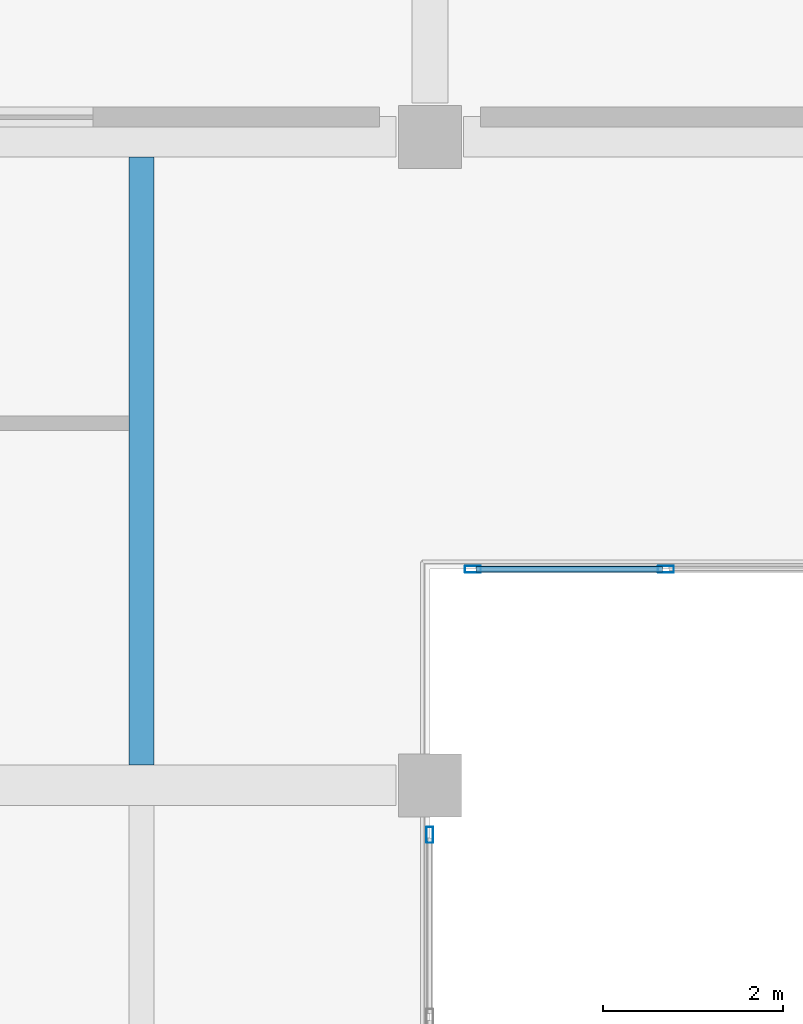
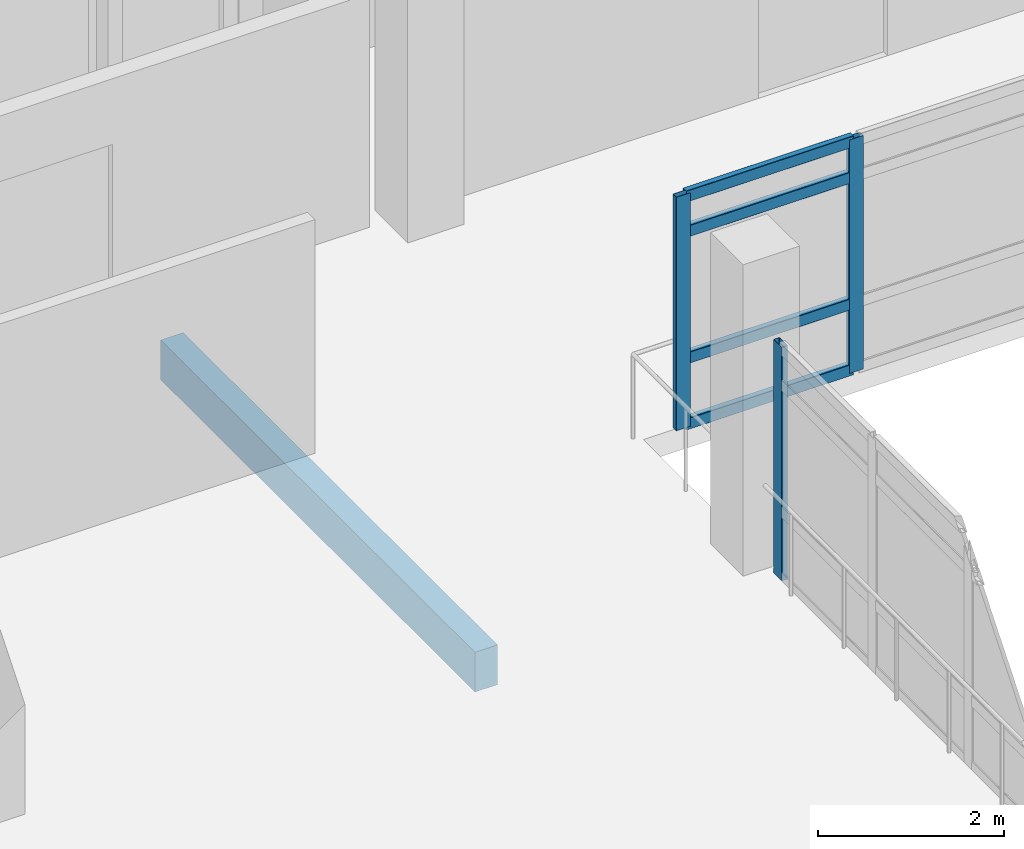
# One storey, part 72 of 180: 7 members, 1 beam, 2 elements without a shape of their own.
"""IFC4 building model written with IfcOpenShell, lengths in metres."""

from ifc_helpers import new_model, si_unit, direction, frame, origin, origin_2d, place, context, subcontext, project, spatial, rectangle, hollow_rectangle, extrude, material, layer, layer_set, material_profile, profile_set, type_object, element, aggregate, save


model = new_model("IFC4")

# Units and contexts
model_context = context("Model", 3, precision=1e-05, world=origin(), true_north=direction((0.0, 1.0)))
body_context = subcontext(model_context, "Body", "Model", "MODEL_VIEW")
ifc_project = project(units=[si_unit("LENGTHUNIT", "METRE"), si_unit("AREAUNIT", "SQUARE_METRE"), si_unit("VOLUMEUNIT", "CUBIC_METRE"), si_unit("PLANEANGLEUNIT", "RADIAN"), si_unit("MASSUNIT", "GRAM", prefix="KILO")], contexts=[model_context])

# Site, building, storey
site_placement = place(None, origin())
site = spatial("IfcSite", under=ifc_project, at=site_placement, CompositionType="ELEMENT")
building_placement = place(site_placement, origin())
building = spatial("IfcBuilding", under=site, at=building_placement, Name="Asteropetra Specialist Clinic", CompositionType="ELEMENT")
storey_placement = place(building_placement, frame((0.0, 0.0, 4.419921875)))
storey = spatial("IfcBuildingStorey", under=building, at=storey_placement, Name="L01", CompositionType="ELEMENT", Elevation=4.419921875)

# Curtain wall, members
ifc_material_1 = material(Name="Aluminium and low-E glass", Category="aluminium")
ifc_layer_1 = layer(ifc_material_1, 0.135009765625)
ifc_layer_set_1 = layer_set([ifc_layer_1], Name="Aluminium and low-E glass")
curtain_wall_type_1 = type_object("IfcCurtainWallType", Name="CW-SYS-09", PredefinedType="USERDEFINED", material=ifc_layer_set_1)
curtain_wall_1_placement = place(storey_placement, origin())
curtain_wall_1 = element("IfcCurtainWall", 1, at=curtain_wall_1_placement, inside=storey, type_object=curtain_wall_type_1, Name="Curtain Wall CW-072", ObjectType="STICK GLAZED COLONNADE", PredefinedType="USERDEFINED")
ifc_material_2 = material(Name="Aluminium 6063-T6", Category="aluminium")
ifc_material_profile_1 = material_profile(ifc_material_2, hollow_rectangle(XDim=0.074951171875, YDim=0.179931640625, WallThickness=0.00390625, InnerFilletRadius=0.00390625, OuterFilletRadius=0.008056640625, at=origin_2d()), Name="MUL 180x75x4.0")
ifc_profile_set_1 = profile_set([ifc_material_profile_1], Name="Aluminium 6063-T6")
member_type_1 = type_object("IfcMemberType", Name="CWM-180x75", PredefinedType="MULLION", material=ifc_profile_set_1)
member_1_placement = place(storey_placement, frame((127.419921875, 36.0, 0.0), z_axis=(0.0, 0.0, 1.0), x_axis=(0.0, -1.0, 0.0)))
member_1 = element("IfcMember", 2, at=member_1_placement, type_object=member_type_1, Name="CW-072 mullion 4", PredefinedType="MULLION", context=body_context, shape_type="SweptSolid", body=[
    extrude(hollow_rectangle(XDim=0.074951171875, YDim=0.179931640625, WallThickness=0.00390625, InnerFilletRadius=0.00390625, OuterFilletRadius=0.008056640625, at=origin_2d()), origin(), (0.0, 0.0, 1.0), 3.06005859375),
])
member_2_placement = place(storey_placement, frame((125.277587890625, 36.0, 0.0), z_axis=(0.0, 0.0, 1.0), x_axis=(0.0, -1.0, 0.0)))
member_2 = element("IfcMember", 3, at=member_2_placement, type_object=member_type_1, Name="CW-072 mullion 5", PredefinedType="MULLION", context=body_context, shape_type="SweptSolid", body=[
    extrude(hollow_rectangle(XDim=0.074951171875, YDim=0.179931640625, WallThickness=0.00390625, InnerFilletRadius=0.00390625, OuterFilletRadius=0.008056640625, at=origin_2d()), origin(), (0.0, 0.0, 1.0), 3.06005859375),
])

# Curtain wall, member
ifc_material_3 = material(Name="Aluminium and low-E glass", Category="aluminium")
ifc_layer_2 = layer(ifc_material_3, 0.14990234375)
ifc_layer_set_2 = layer_set([ifc_layer_2], Name="Aluminium and low-E glass")
curtain_wall_type_2 = type_object("IfcCurtainWallType", Name="CW-SYS-11", PredefinedType="USERDEFINED", material=ifc_layer_set_2)
curtain_wall_2_placement = place(storey_placement, origin())
curtain_wall_2 = element("IfcCurtainWall", 4, at=curtain_wall_2_placement, inside=storey, type_object=curtain_wall_type_2, Name="Curtain Wall CW-075", ObjectType="STICK GLAZED COLONNADE", PredefinedType="USERDEFINED")
member_3_placement = place(storey_placement, frame((124.800048828125, 33.052490234375, 0.0), z_axis=(0.0, 0.0, 1.0), x_axis=(1.0, 0.0, 0.0)))
member_3 = element("IfcMember", 5, at=member_3_placement, type_object=member_type_1, Name="CW-075 mullion 1", PredefinedType="MULLION", context=body_context, shape_type="SweptSolid", body=[
    extrude(hollow_rectangle(XDim=0.074951171875, YDim=0.179931640625, WallThickness=0.00390625, InnerFilletRadius=0.00390625, OuterFilletRadius=0.008056640625, at=origin_2d()), origin(), (0.0, 0.0, 1.0), 3.06005859375),
])
aggregate(curtain_wall_2, [member_3])

# Member
ifc_material_4 = material(Name="Aluminium 6063-T6", Category="aluminium")
ifc_material_profile_2 = material_profile(ifc_material_4, hollow_rectangle(XDim=0.074951171875, YDim=0.14990234375, WallThickness=0.00390625, InnerFilletRadius=0.00390625, OuterFilletRadius=0.008056640625, at=origin_2d()), Name="TRN 150x75x4.0")
ifc_profile_set_2 = profile_set([ifc_material_profile_2], Name="Aluminium 6063-T6")
member_type_2 = type_object("IfcMemberType", Name="CWT-150x75", PredefinedType="USERDEFINED", material=ifc_profile_set_2)
member_4_placement = place(storey_placement, frame((127.382568359375, 36.0, 0.03759765625), z_axis=(-1.0, 0.0, 0.0), x_axis=(0.0, -1.0, 0.0)))
member_4 = element("IfcMember", 6, at=member_4_placement, type_object=member_type_2, Name="CW-072 transom 4.1", ObjectType="TRANSOM", PredefinedType="USERDEFINED", context=body_context, shape_type="SweptSolid", body=[
    extrude(hollow_rectangle(XDim=0.074951171875, YDim=0.14990234375, WallThickness=0.00390625, InnerFilletRadius=0.00390625, OuterFilletRadius=0.008056640625, at=origin_2d()), origin(), (0.0, 0.0, 1.0), 2.067626953125),
])

member_5_placement = place(storey_placement, frame((127.382568359375, 36.0, 0.900146484375), z_axis=(-1.0, 0.0, 0.0), x_axis=(0.0, -1.0, 0.0)))
member_5 = element("IfcMember", 7, at=member_5_placement, type_object=member_type_2, Name="CW-072 transom 4.2", ObjectType="TRANSOM", PredefinedType="USERDEFINED", context=body_context, shape_type="SweptSolid", body=[
    extrude(hollow_rectangle(XDim=0.074951171875, YDim=0.14990234375, WallThickness=0.00390625, InnerFilletRadius=0.00390625, OuterFilletRadius=0.008056640625, at=origin_2d()), origin(), (0.0, 0.0, 1.0), 2.067626953125),
])

member_6_placement = place(storey_placement, frame((127.382568359375, 36.0, 2.56005859375), z_axis=(-1.0, 0.0, 0.0), x_axis=(0.0, -1.0, 0.0)))
member_6 = element("IfcMember", 8, at=member_6_placement, type_object=member_type_2, Name="CW-072 transom 4.3", ObjectType="TRANSOM", PredefinedType="USERDEFINED", context=body_context, shape_type="SweptSolid", body=[
    extrude(hollow_rectangle(XDim=0.074951171875, YDim=0.14990234375, WallThickness=0.00390625, InnerFilletRadius=0.00390625, OuterFilletRadius=0.008056640625, at=origin_2d()), origin(), (0.0, 0.0, 1.0), 2.067626953125),
])

member_7_placement = place(storey_placement, frame((127.382568359375, 36.0, 3.0224609375), z_axis=(-1.0, 0.0, 0.0), x_axis=(0.0, -1.0, 0.0)))
member_7 = element("IfcMember", 9, at=member_7_placement, type_object=member_type_2, Name="CW-072 transom 4.4", ObjectType="TRANSOM", PredefinedType="USERDEFINED", context=body_context, shape_type="SweptSolid", body=[
    extrude(hollow_rectangle(XDim=0.074951171875, YDim=0.14990234375, WallThickness=0.00390625, InnerFilletRadius=0.00390625, OuterFilletRadius=0.008056640625, at=origin_2d()), origin(), (0.0, 0.0, 1.0), 2.067626953125),
])

aggregate(curtain_wall_1, [member_1, member_2, member_4, member_5, member_6, member_7])

# Beam
ifc_material_5 = material(Name="Concrete C35/45", Category="concrete")
ifc_material_profile_3 = material_profile(ifc_material_5, rectangle(XDim=0.280029296875, YDim=0.52001953125, at=origin_2d()), Name="RCJ 280x520")
ifc_profile_set_3 = profile_set([ifc_material_profile_3], Name="Concrete C35/45")
beam_type = type_object("IfcBeamType", Name="JST-RC280x520", PredefinedType="JOIST", material=ifc_profile_set_3)
beam_placement = place(storey_placement, frame((121.60009765625, 33.824951171875, -0.559814453125), z_axis=(0.0, 1.0, 0.0), x_axis=(-1.0, 0.0, 0.0)))
element("IfcBeam", 10, at=beam_placement, inside=storey, type_object=beam_type, Name="Joist JJST01-0516", PredefinedType="JOIST", context=body_context, shape_type="SweptSolid", body=[
    extrude(rectangle(XDim=0.280029296875, YDim=0.52001953125, at=origin_2d()), origin(), (0.0, 0.0, 1.0), 6.75),
])

save(model, "model.ifc")
